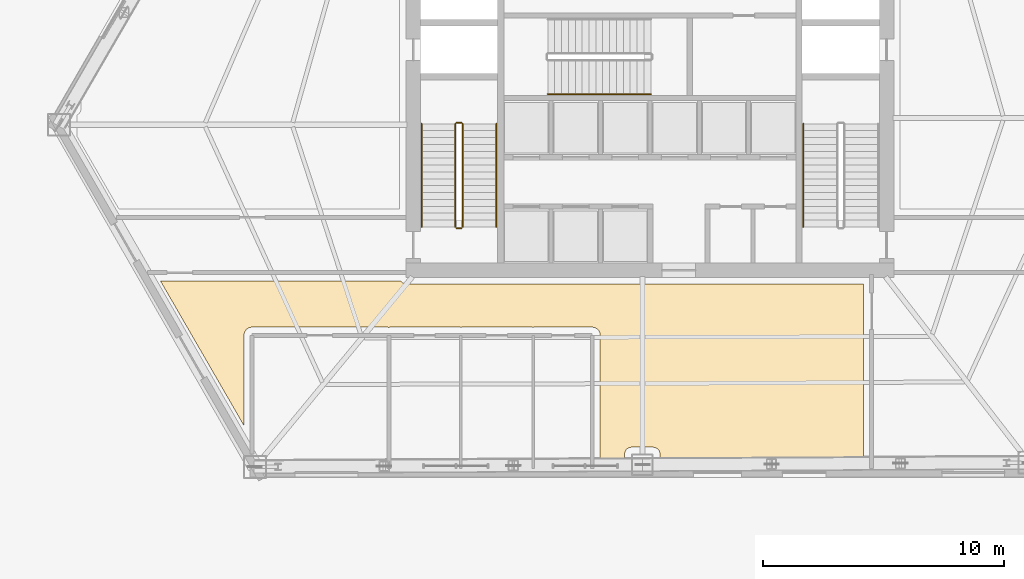
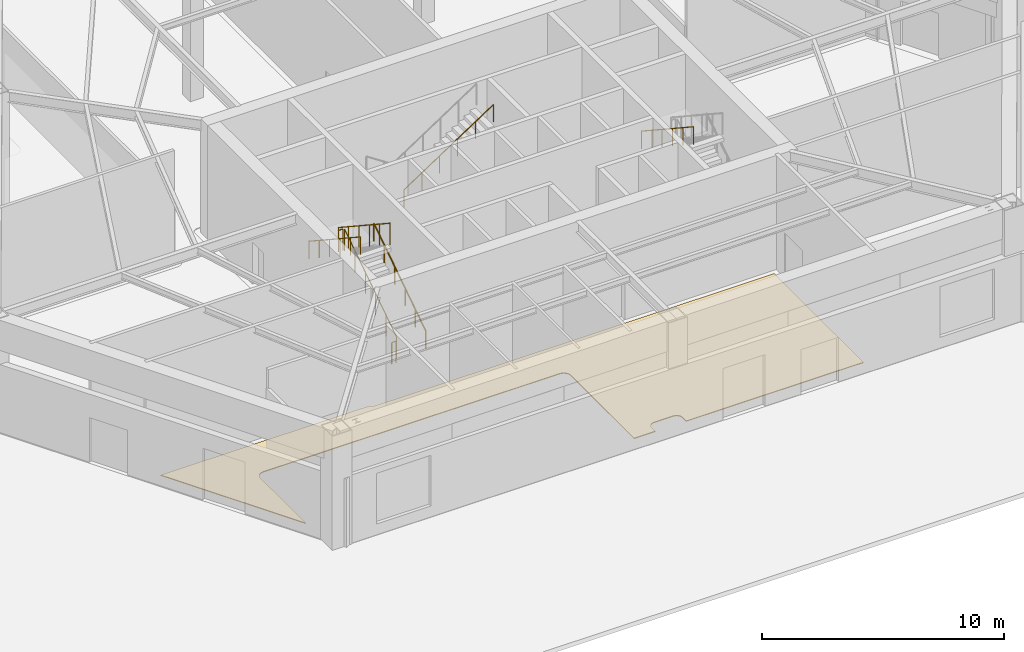
# One storey, part 17 of 20: 8 railings, 1 covering.
"""IFC4 building model written with IfcOpenShell, lengths in metres."""

from ifc_helpers import new_model, si_unit, direction, frame, origin, origin_2d, place, context, subcontext, project, spatial, polyline, circle, outline, extrude, material, layer, layer_set, type_object, element, save


model = new_model("IFC4")

# Units and contexts
model_context = context("Model", 3, precision=1e-05, world=origin(), true_north=direction((0.0, 1.0)))
body_context = subcontext(model_context, "Body", "Model", "MODEL_VIEW")
ifc_project = project(units=[si_unit("LENGTHUNIT", "METRE"), si_unit("AREAUNIT", "SQUARE_METRE"), si_unit("VOLUMEUNIT", "CUBIC_METRE"), si_unit("PLANEANGLEUNIT", "RADIAN"), si_unit("MASSUNIT", "GRAM", prefix="KILO")], contexts=[model_context])

# Site, building, storey
site_placement = place(None, origin())
site = spatial("IfcSite", under=ifc_project, at=site_placement, CompositionType="ELEMENT")
building_placement = place(site_placement, origin())
building = spatial("IfcBuilding", under=site, at=building_placement, Name="Kavelnor Concourse Tower", CompositionType="ELEMENT")
storey_placement = place(building_placement, origin())
storey = spatial("IfcBuildingStorey", under=building, at=storey_placement, Name="L00", CompositionType="ELEMENT", Elevation=0.0)

# Covering
ifc_material_1 = material(Name="Honed bluestone and raised access floor finish", Category="masonry")
ifc_layer = layer(ifc_material_1, 0.0400390625, Name="Honed bluestone and raised access floor finish")
ifc_layer_set = layer_set([ifc_layer], Name="Honed bluestone and raised access floor finish")
covering_type = type_object("IfcCoveringType", Name="COV-FLOOR-STONE", PredefinedType="FLOORING", material=ifc_layer_set)
covering_placement = place(storey_placement, frame((0.0, 0.0, 0.001953125)))
element("IfcCovering", 1, at=covering_placement, inside=storey, type_object=covering_type, Name="L00 Honed Bluestone Floor Finish", PredefinedType="FLOORING", context=body_context, shape_type="SweptSolid", body=[
    extrude(outline(polyline([(27.169921875, 6.9326171875), (27.169189453125, 6.932861328125), (27.163330078125, 6.93408203125), (27.15380859375, 6.935546875), (27.14599609375, 6.936767578125), (27.13623046875, 6.93798828125), (27.13037109375, 6.938720703125), (27.12060546875, 6.939208984375), (27.11279296875, 6.939697265625), (27.10791015625, 6.93994140625), (27.10498046875, 6.93994140625), (27.10009765625, 6.93994140625), (21.5, 6.93994140625), (21.4951171875, 6.93994140625), (21.4921875, 6.93994140625), (21.4873046875, 6.939697265625), (21.4794921875, 6.939208984375), (21.469482421875, 6.938720703125), (21.4638671875, 6.93798828125), (21.4541015625, 6.936767578125), (21.4462890625, 6.935546875), (21.4365234375, 6.93408203125), (21.430908203125, 6.932861328125), (21.421142578125, 6.9306640625), (21.41357421875, 6.9287109375), (21.404052734375, 6.926025390625), (21.3984375, 6.92431640625), (21.38916015625, 6.92138671875), (21.3818359375, 6.918701171875), (21.37255859375, 6.915283203125), (21.3671875, 6.912841796875), (21.358154296875, 6.908935546875), (21.35107421875, 6.905517578125), (21.34228515625, 6.901123046875), (21.337158203125, 6.8984375), (21.32861328125, 6.8935546875), (21.322021484375, 6.889404296875), (21.313720703125, 6.88427734375), (21.30859375, 6.881103515625), (21.30078125, 6.87548828125), (21.29443359375, 6.87060546875), (21.28662109375, 6.864501953125), (21.281982421875, 6.86083984375), (21.274658203125, 6.8544921875), (21.268798828125, 6.84912109375), (21.26171875, 6.84228515625), (21.257568359375, 6.83837890625), (21.250732421875, 6.831298828125), (21.24560546875, 6.825439453125), (21.239013671875, 6.81787109375), (21.2353515625, 6.8134765625), (21.229248046875, 6.8056640625), (21.224609375, 6.79931640625), (21.218994140625, 6.791259765625), (21.2158203125, 6.786376953125), (21.21044921875, 6.778076171875), (21.206298828125, 6.771484375), (21.20166015625, 6.7626953125), (21.19873046875, 6.757568359375), (21.1943359375, 6.748779296875), (21.191162109375, 6.74169921875), (21.18701171875, 6.73291015625), (21.184814453125, 6.727294921875), (21.181396484375, 6.71826171875), (21.1787109375, 6.710693359375), (21.175537109375, 6.701416015625), (21.173828125, 6.69580078125), (21.171142578125, 6.686279296875), (21.169189453125, 6.6787109375), (21.167236328125, 6.669189453125), (21.166015625, 6.663330078125), (21.164306640625, 6.65380859375), (21.1630859375, 6.64599609375), (21.162109375, 6.63623046875), (21.161376953125, 6.63037109375), (21.16064453125, 6.62060546875), (21.160400390625, 6.61279296875), (21.16015625, 6.60791015625), (21.16015625, 6.60498046875), (21.159912109375, 6.60009765625), (21.159912109375, 2.856689453125), (17.69970703125, 8.85009765625), (27.667724609375, 8.85009765625), (27.66943359375, 8.847412109375), (27.673095703125, 8.8427734375), (27.685302734375, 8.82763671875), (27.689453125, 8.8232421875), (27.703369140625, 8.809326171875), (27.70751953125, 8.805419921875), (27.722900390625, 8.79296875), (27.7275390625, 8.78955078125), (27.743896484375, 8.778564453125), (27.748779296875, 8.775390625), (27.76611328125, 8.766357421875), (27.771484375, 8.763916015625), (27.789794921875, 8.75634765625), (27.795166015625, 8.75439453125), (27.81396484375, 8.74853515625), (27.819580078125, 8.7470703125), (27.8388671875, 8.743408203125), (27.8447265625, 8.742431640625), (27.8642578125, 8.740478515625), (27.8701171875, 8.740234375), (27.8798828125, 8.739990234375), (46.860107421875, 8.739990234375), (46.860107421875, 1.3798828125), (38.4150390625, 1.3798828125), (38.4150390625, 1.679931640625), (38.414794921875, 1.684814453125), (38.414794921875, 1.68798828125), (38.414794921875, 1.69287109375), (38.41455078125, 1.694580078125), (38.413818359375, 1.70458984375), (38.413330078125, 1.71044921875), (38.412109375, 1.72021484375), (38.411865234375, 1.72216796875), (38.41015625, 1.731689453125), (38.408935546875, 1.737548828125), (38.40673828125, 1.7470703125), (38.40625, 1.7490234375), (38.40380859375, 1.75830078125), (38.402099609375, 1.76416015625), (38.39892578125, 1.7734375), (38.398193359375, 1.775146484375), (38.394775390625, 1.784423828125), (38.392578125, 1.789794921875), (38.388427734375, 1.798828125), (38.3876953125, 1.800537109375), (38.38330078125, 1.809326171875), (38.380615234375, 1.814697265625), (38.37548828125, 1.822998046875), (38.37451171875, 1.82470703125), (38.369384765625, 1.8330078125), (38.3662109375, 1.837890625), (38.360595703125, 1.845947265625), (38.359375, 1.84765625), (38.353271484375, 1.855224609375), (38.349609375, 1.85986328125), (38.343017578125, 1.8671875), (38.341796875, 1.86865234375), (38.3349609375, 1.8759765625), (38.330810546875, 1.8798828125), (38.32373046875, 1.88671875), (38.322265625, 1.88818359375), (38.31494140625, 1.89453125), (38.310302734375, 1.898193359375), (38.302490234375, 1.904296875), (38.301025390625, 1.905517578125), (38.29296875, 1.9111328125), (38.2880859375, 1.914306640625), (38.27978515625, 1.919677734375), (38.278076171875, 1.920654296875), (38.26953125, 1.925537109375), (38.264404296875, 1.92822265625), (38.255615234375, 1.9326171875), (38.25390625, 1.93359375), (38.244873046875, 1.9375), (38.239501953125, 1.939697265625), (38.230224609375, 1.943359375), (38.228515625, 1.94384765625), (38.218994140625, 1.947021484375), (38.21337890625, 1.94873046875), (38.2041015625, 1.951416015625), (38.2021484375, 1.951904296875), (38.1923828125, 1.9541015625), (38.186767578125, 1.955078125), (38.177001953125, 1.956787109375), (38.175048828125, 1.95703125), (38.165283203125, 1.958251953125), (38.159423828125, 1.958984375), (38.149658203125, 1.959716796875), (38.147705078125, 1.959716796875), (38.142822265625, 1.9599609375), (38.139892578125, 1.9599609375), (38.135009765625, 1.9599609375), (37.235107421875, 1.9599609375), (37.22998046875, 1.9599609375), (37.22705078125, 1.9599609375), (37.22216796875, 1.959716796875), (37.22021484375, 1.959716796875), (37.21044921875, 1.958984375), (37.20458984375, 1.958251953125), (37.19482421875, 1.95703125), (37.19287109375, 1.956787109375), (37.183349609375, 1.955078125), (37.177490234375, 1.9541015625), (37.16796875, 1.951904296875), (37.166015625, 1.951416015625), (37.156494140625, 1.94873046875), (37.15087890625, 1.947021484375), (37.1416015625, 1.94384765625), (37.139892578125, 1.943359375), (37.130615234375, 1.939697265625), (37.125244140625, 1.9375), (37.1162109375, 1.93359375), (37.114501953125, 1.9326171875), (37.105712890625, 1.92822265625), (37.100341796875, 1.925537109375), (37.091796875, 1.920654296875), (37.090087890625, 1.919677734375), (37.081787109375, 1.914306640625), (37.076904296875, 1.9111328125), (37.069091796875, 1.905517578125), (37.0673828125, 1.904296875), (37.059814453125, 1.898193359375), (37.05517578125, 1.89453125), (37.047607421875, 1.88818359375), (37.04638671875, 1.88671875), (37.0390625, 1.8798828125), (37.034912109375, 1.8759765625), (37.0283203125, 1.86865234375), (37.02685546875, 1.8671875), (37.0205078125, 1.85986328125), (37.0166015625, 1.855224609375), (37.0107421875, 1.84765625), (37.009521484375, 1.845947265625), (37.00390625, 1.837890625), (37.00048828125, 1.8330078125), (36.995361328125, 1.82470703125), (36.994384765625, 1.822998046875), (36.989501953125, 1.814697265625), (36.98681640625, 1.809326171875), (36.982421875, 1.800537109375), (36.9814453125, 1.798828125), (36.9775390625, 1.789794921875), (36.975341796875, 1.784423828125), (36.9716796875, 1.775146484375), (36.97119140625, 1.7734375), (36.968017578125, 1.76416015625), (36.96630859375, 1.75830078125), (36.963623046875, 1.7490234375), (36.963134765625, 1.7470703125), (36.9609375, 1.737548828125), (36.9599609375, 1.731689453125), (36.958251953125, 1.72216796875), (36.9580078125, 1.72021484375), (36.956787109375, 1.71044921875), (36.9560546875, 1.70458984375), (36.955322265625, 1.694580078125), (36.955322265625, 1.69287109375), (36.955078125, 1.68798828125), (36.955078125, 1.684814453125), (36.955078125, 1.679931640625), (36.955078125, 1.3798828125), (35.93994140625, 1.3798828125), (35.93994140625, 6.60009765625), (35.93994140625, 6.60498046875), (35.93994140625, 6.60791015625), (35.939697265625, 6.61279296875), (35.939208984375, 6.62060546875), (35.938720703125, 6.63037109375), (35.93798828125, 6.63623046875), (35.936767578125, 6.64599609375), (35.935546875, 6.65380859375), (35.93408203125, 6.663330078125), (35.932861328125, 6.669189453125), (35.9306640625, 6.6787109375), (35.9287109375, 6.686279296875), (35.926025390625, 6.69580078125), (35.92431640625, 6.701416015625), (35.92138671875, 6.710693359375), (35.918701171875, 6.71826171875), (35.915283203125, 6.727294921875), (35.912841796875, 6.73291015625), (35.908935546875, 6.74169921875), (35.905517578125, 6.748779296875), (35.901123046875, 6.757568359375), (35.8984375, 6.7626953125), (35.8935546875, 6.771484375), (35.889404296875, 6.778076171875), (35.88427734375, 6.786376953125), (35.881103515625, 6.791259765625), (35.87548828125, 6.79931640625), (35.87060546875, 6.8056640625), (35.864501953125, 6.8134765625), (35.86083984375, 6.81787109375), (35.8544921875, 6.825439453125), (35.84912109375, 6.831298828125), (35.84228515625, 6.83837890625), (35.83837890625, 6.84228515625), (35.831298828125, 6.84912109375), (35.825439453125, 6.8544921875), (35.81787109375, 6.86083984375), (35.8134765625, 6.864501953125), (35.8056640625, 6.87060546875), (35.79931640625, 6.87548828125), (35.791259765625, 6.881103515625), (35.786376953125, 6.88427734375), (35.778076171875, 6.889404296875), (35.771484375, 6.8935546875), (35.7626953125, 6.8984375), (35.757568359375, 6.901123046875), (35.748779296875, 6.905517578125), (35.74169921875, 6.908935546875), (35.73291015625, 6.912841796875), (35.727294921875, 6.915283203125), (35.71826171875, 6.918701171875), (35.710693359375, 6.92138671875), (35.701416015625, 6.92431640625), (35.69580078125, 6.926025390625), (35.686279296875, 6.9287109375), (35.6787109375, 6.9306640625), (35.669189453125, 6.932861328125), (35.663330078125, 6.93408203125), (35.65380859375, 6.935546875), (35.64599609375, 6.936767578125), (35.63623046875, 6.93798828125), (35.63037109375, 6.938720703125), (35.62060546875, 6.939208984375), (35.61279296875, 6.939697265625), (35.60791015625, 6.93994140625), (35.60498046875, 6.93994140625), (35.60009765625, 6.93994140625), (33.219970703125, 6.93994140625), (33.215087890625, 6.93994140625), (33.212158203125, 6.93994140625), (33.207275390625, 6.939697265625), (33.199462890625, 6.939208984375), (33.189697265625, 6.938720703125), (33.183837890625, 6.93798828125), (33.174072265625, 6.936767578125), (33.166259765625, 6.935546875), (33.159912109375, 6.9345703125), (33.15380859375, 6.935546875), (33.14599609375, 6.936767578125), (33.13623046875, 6.93798828125), (33.13037109375, 6.938720703125), (33.12060546875, 6.939208984375), (33.11279296875, 6.939697265625), (33.10791015625, 6.93994140625), (33.10498046875, 6.93994140625), (33.10009765625, 6.93994140625), (30.219970703125, 6.93994140625), (30.215087890625, 6.93994140625), (30.212158203125, 6.93994140625), (30.207275390625, 6.939697265625), (30.199462890625, 6.939208984375), (30.189697265625, 6.938720703125), (30.183837890625, 6.93798828125), (30.174072265625, 6.936767578125), (30.166259765625, 6.935546875), (30.159912109375, 6.9345703125), (30.15380859375, 6.935546875), (30.14599609375, 6.936767578125), (30.13623046875, 6.93798828125), (30.13037109375, 6.938720703125), (30.12060546875, 6.939208984375), (30.11279296875, 6.939697265625), (30.10791015625, 6.93994140625), (30.10498046875, 6.93994140625), (30.10009765625, 6.93994140625), (27.239990234375, 6.93994140625), (27.235107421875, 6.93994140625), (27.232177734375, 6.93994140625), (27.227294921875, 6.939697265625), (27.219482421875, 6.939208984375), (27.209716796875, 6.938720703125), (27.203857421875, 6.93798828125), (27.194091796875, 6.936767578125), (27.186279296875, 6.935546875), (27.176513671875, 6.93408203125), (27.1708984375, 6.932861328125), (27.169921875, 6.9326171875)])), origin(), (0.0, 0.0, 1.0), 0.0400390625),
])

# Railings
ifc_material_2 = material(Name="Steel Grade 350", Category="steel")
railing_type_1 = type_object("IfcRailingType", Name="RLG-GUARD-1100", PredefinedType="GUARDRAIL", material=ifc_material_2)
railing_1_placement = place(storey_placement, frame((30.22998046875, 11.10009765625, 0.1875)))
element("IfcRailing", 2, at=railing_1_placement, inside=storey, type_object=railing_type_1, Name="L00 ST1 stair guard 1", PredefinedType="GUARDRAIL", context=body_context, shape_type="SweptSolid", body=[
    extrude(circle(Radius=0.02392578125, at=origin_2d()), frame((0.0, 0.0, 1.076171875), z_axis=(0.0, 0.835411317272, 0.549625264133), x_axis=(-1.0, 0.0, 0.0)), (0.0, 0.0, 1.0), 5.1171875),
    extrude(circle(Radius=0.02099609375, at=origin_2d()), origin(), (0.0, 0.0, 1.0), 1.052001953125),
    extrude(circle(Radius=0.02099609375, at=origin_2d()), frame((0.0, 0.85498046875, 0.5625)), (0.0, 0.0, 1.0), 1.052001953125),
    extrude(circle(Radius=0.02099609375, at=origin_2d()), frame((0.0, 1.7099609375, 1.125)), (0.0, 0.0, 1.0), 1.052001953125),
    extrude(circle(Radius=0.02099609375, at=origin_2d()), frame((0.0, 2.56494140625, 1.6875)), (0.0, 0.0, 1.0), 1.052001953125),
    extrude(circle(Radius=0.02099609375, at=origin_2d()), frame((0.0, 3.419921875, 2.25)), (0.0, 0.0, 1.0), 1.052001953125),
    extrude(circle(Radius=0.02099609375, at=origin_2d()), frame((0.0, 4.27490234375, 2.8125)), (0.0, 0.0, 1.0), 1.052001953125),
])
railing_2_placement = place(storey_placement, frame((30.179931640625, 15.425048828125, 3.0)))
element("IfcRailing", 3, at=railing_2_placement, inside=storey, type_object=railing_type_1, Name="L00 ST1 stair guard 2", PredefinedType="GUARDRAIL", context=body_context, shape_type="SweptSolid", body=[
    extrude(circle(Radius=0.02392578125, at=origin_2d()), frame((0.0, 0.0, 1.076171875), z_axis=(-1.0, 0.0, 0.0), x_axis=(0.0, -1.0, 0.0)), (0.0, 0.0, 1.0), 0.199951171875),
    extrude(circle(Radius=0.02099609375, at=origin_2d()), origin(), (0.0, 0.0, 1.0), 1.052001953125),
    extrude(circle(Radius=0.02099609375, at=origin_2d()), frame((-0.199951171875, 0.0, 0.0)), (0.0, 0.0, 1.0), 1.052001953125),
])
railing_3_placement = place(storey_placement, frame((29.929931640625, 15.375, 3.1875)))
element("IfcRailing", 4, at=railing_3_placement, inside=storey, type_object=railing_type_1, Name="L00 ST1 stair guard 3", PredefinedType="GUARDRAIL", context=body_context, shape_type="SweptSolid", body=[
    extrude(circle(Radius=0.02392578125, at=origin_2d()), frame((0.0, 0.0, 1.076171875), z_axis=(0.0, -0.835411317272, 0.549625264133), x_axis=(1.0, 0.0, 0.0)), (0.0, 0.0, 1.0), 5.1171875),
    extrude(circle(Radius=0.02099609375, at=origin_2d()), origin(), (0.0, 0.0, 1.0), 1.052001953125),
    extrude(circle(Radius=0.02099609375, at=origin_2d()), frame((0.0, -0.85498046875, 0.5625)), (0.0, 0.0, 1.0), 1.052001953125),
    extrude(circle(Radius=0.02099609375, at=origin_2d()), frame((0.0, -1.7099609375, 1.125)), (0.0, 0.0, 1.0), 1.052001953125),
    extrude(circle(Radius=0.02099609375, at=origin_2d()), frame((0.0, -2.56494140625, 1.6875)), (0.0, 0.0, 1.0), 1.052001953125),
    extrude(circle(Radius=0.02099609375, at=origin_2d()), frame((0.0, -3.419921875, 2.25)), (0.0, 0.0, 1.0), 1.052001953125),
    extrude(circle(Radius=0.02099609375, at=origin_2d()), frame((0.0, -4.27490234375, 2.8125)), (0.0, 0.0, 1.0), 1.052001953125),
])
railing_4_placement = place(storey_placement, frame((30.179931640625, 11.050048828125, 0.0)))
element("IfcRailing", 5, at=railing_4_placement, inside=storey, type_object=railing_type_1, Name="L00 ST1 stair guard 4", PredefinedType="GUARDRAIL", context=body_context, shape_type="SweptSolid", body=[
    extrude(circle(Radius=0.02392578125, at=origin_2d()), frame((0.0, 0.0, 1.076171875), z_axis=(-1.0, 0.0, 0.0), x_axis=(0.0, -1.0, 0.0)), (0.0, 0.0, 1.0), 0.199951171875),
    extrude(circle(Radius=0.02099609375, at=origin_2d()), origin(), (0.0, 0.0, 1.0), 1.052001953125),
    extrude(circle(Radius=0.02099609375, at=origin_2d()), frame((-0.199951171875, 0.0, 0.0)), (0.0, 0.0, 1.0), 1.052001953125),
])
railing_type_2 = type_object("IfcRailingType", Name="RLG-HANDRAIL-900", PredefinedType="HANDRAIL", material=ifc_material_2)
railing_5_placement = place(storey_placement, frame((31.6298828125, 11.10009765625, 0.1875)))
element("IfcRailing", 6, at=railing_5_placement, inside=storey, type_object=railing_type_2, Name="L00 ST1 stair handrail 1", PredefinedType="HANDRAIL", context=body_context, shape_type="SweptSolid", body=[
    extrude(circle(Radius=0.02392578125, at=origin_2d()), frame((0.0, 0.0, 0.8759765625), z_axis=(0.0, 0.835411317272, 0.549625264133), x_axis=(-1.0, 0.0, 0.0)), (0.0, 0.0, 1.0), 5.1171875),
    extrude(circle(Radius=0.02099609375, at=origin_2d()), origin(), (0.0, 0.0, 1.0), 0.851806640625),
    extrude(circle(Radius=0.02099609375, at=origin_2d()), frame((0.0, 0.85498046875, 0.5625)), (0.0, 0.0, 1.0), 0.851806640625),
    extrude(circle(Radius=0.02099609375, at=origin_2d()), frame((0.0, 1.7099609375, 1.125)), (0.0, 0.0, 1.0), 0.851806640625),
    extrude(circle(Radius=0.02099609375, at=origin_2d()), frame((0.0, 2.56494140625, 1.6875)), (0.0, 0.0, 1.0), 0.851806640625),
    extrude(circle(Radius=0.02099609375, at=origin_2d()), frame((0.0, 3.419921875, 2.25)), (0.0, 0.0, 1.0), 0.851806640625),
    extrude(circle(Radius=0.02099609375, at=origin_2d()), frame((0.0, 4.27490234375, 2.8125)), (0.0, 0.0, 1.0), 0.851806640625),
])
for number, where, name in (
    (7, (28.530029296875, 15.375, 3.1875), "L00 ST1 stair handrail 2"),
    (8, (44.3701171875, 15.375, 3.1875), "L00 ST2 stair handrail 2"),
):
    element("IfcRailing", number, at=place(storey_placement, frame(where)), inside=storey, type_object=railing_type_2, Name=name, PredefinedType="HANDRAIL", context=body_context, shape_type="SweptSolid", body=[
        extrude(circle(Radius=0.02392578125, at=origin_2d()), frame((0.0, 0.0, 0.8759765625), z_axis=(0.0, -0.835411317272, 0.549625264133), x_axis=(1.0, 0.0, 0.0)), (0.0, 0.0, 1.0), 5.1171875),
        extrude(circle(Radius=0.02099609375, at=origin_2d()), origin(), (0.0, 0.0, 1.0), 0.851806640625),
        extrude(circle(Radius=0.02099609375, at=origin_2d()), frame((0.0, -0.85498046875, 0.5625)), (0.0, 0.0, 1.0), 0.851806640625),
        extrude(circle(Radius=0.02099609375, at=origin_2d()), frame((0.0, -1.7099609375, 1.125)), (0.0, 0.0, 1.0), 0.851806640625),
        extrude(circle(Radius=0.02099609375, at=origin_2d()), frame((0.0, -2.56494140625, 1.6875)), (0.0, 0.0, 1.0), 0.851806640625),
        extrude(circle(Radius=0.02099609375, at=origin_2d()), frame((0.0, -3.419921875, 2.25)), (0.0, 0.0, 1.0), 0.851806640625),
        extrude(circle(Radius=0.02099609375, at=origin_2d()), frame((0.0, -4.27490234375, 2.8125)), (0.0, 0.0, 1.0), 0.851806640625),
    ])
railing_6_placement = place(storey_placement, frame((33.764892578125, 16.610107421875, 3.1875)))
element("IfcRailing", 9, at=railing_6_placement, inside=storey, type_object=railing_type_2, Name="L00 ST3 stair handrail 2", PredefinedType="HANDRAIL", context=body_context, shape_type="SweptSolid", body=[
    extrude(circle(Radius=0.02392578125, at=origin_2d()), frame((0.0, 0.0, 0.8759765625), z_axis=(0.835425729185, 0.0, 0.549603357901), x_axis=(0.0, 1.0, 0.0)), (0.0, 0.0, 1.0), 5.117431640625),
    extrude(circle(Radius=0.02099609375, at=origin_2d()), origin(), (0.0, 0.0, 1.0), 0.851806640625),
    extrude(circle(Radius=0.02099609375, at=origin_2d()), frame((0.85498046875, 0.0, 0.5625)), (0.0, 0.0, 1.0), 0.851806640625),
    extrude(circle(Radius=0.02099609375, at=origin_2d()), frame((1.7099609375, 0.0, 1.125)), (0.0, 0.0, 1.0), 0.851806640625),
    extrude(circle(Radius=0.02099609375, at=origin_2d()), frame((2.565185546875, 0.0, 1.6875)), (0.0, 0.0, 1.0), 0.851806640625),
    extrude(circle(Radius=0.02099609375, at=origin_2d()), frame((3.420166015625, 0.0, 2.25)), (0.0, 0.0, 1.0), 0.851806640625),
    extrude(circle(Radius=0.02099609375, at=origin_2d()), frame((4.275146484375, 0.0, 2.8125)), (0.0, 0.0, 1.0), 0.851806640625),
])

save(model, "model.ifc")
